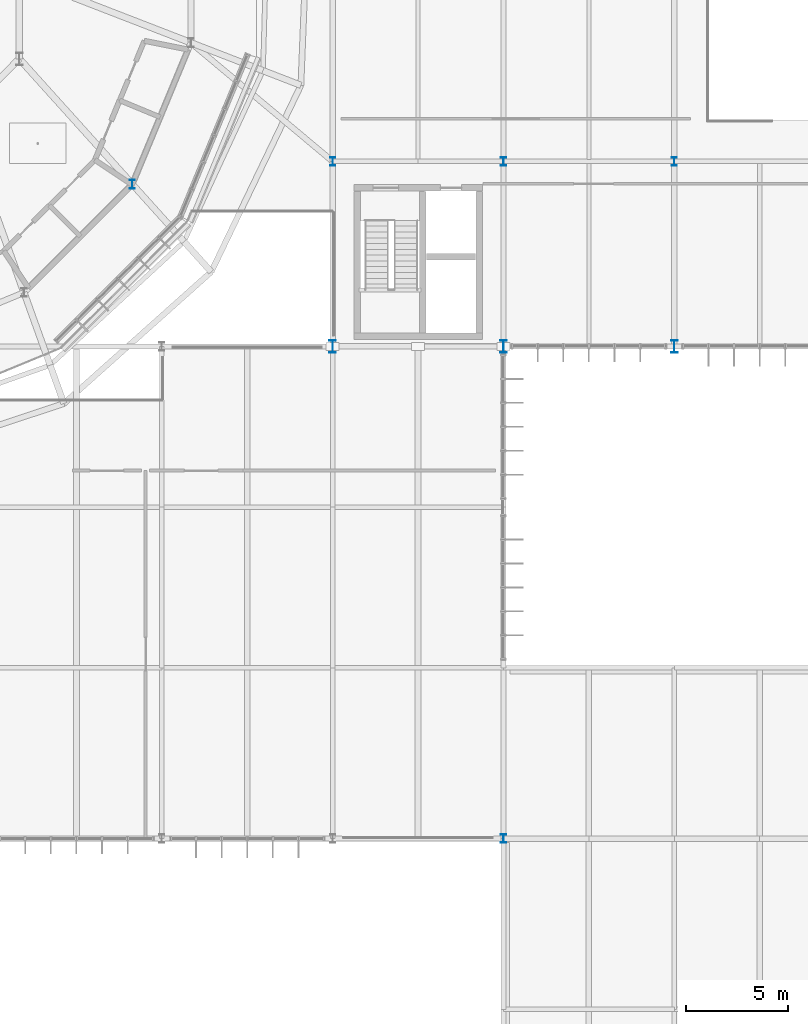
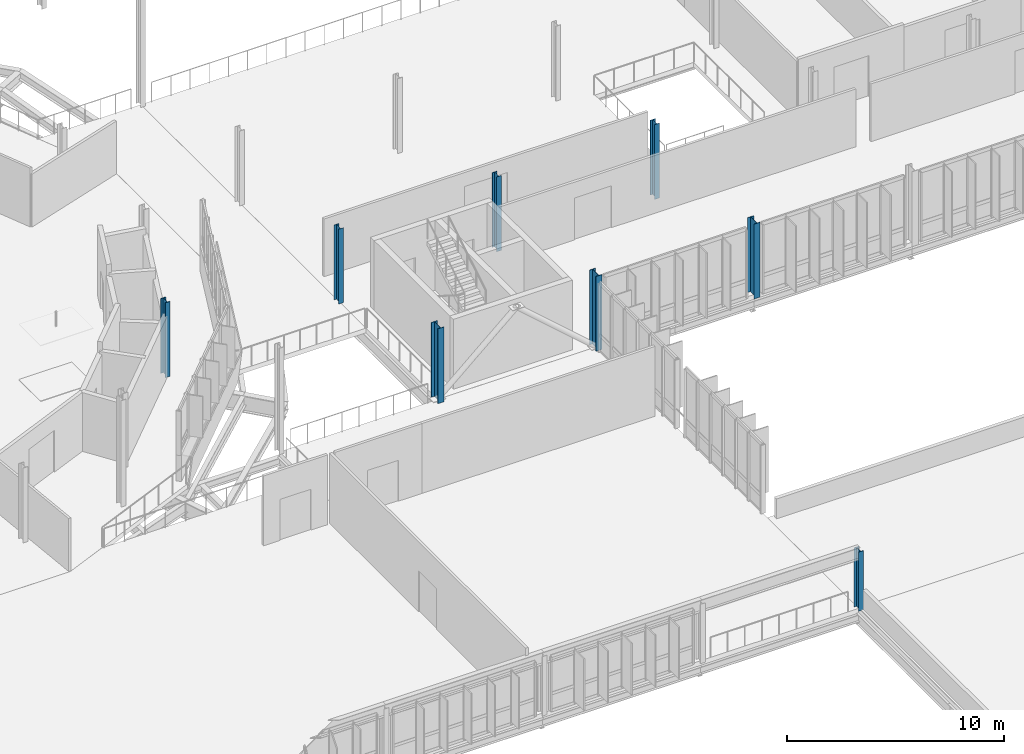
# One storey, part 3 of 107: 8 columns.
"""IFC4 building model written with IfcOpenShell, lengths in metres."""

from ifc_helpers import new_model, si_unit, derived_unit, direction, frame, origin, origin_2d, place, context, subcontext, project, spatial, i_section, extrude, material, material_profile, profile_set, type_object, element, save


model = new_model("IFC4")

# Units and contexts
model_context = context("Model", 3, precision=1e-05, world=origin(), true_north=direction((0.0, 1.0)))
body_context = subcontext(model_context, "Body", "Model", "MODEL_VIEW")
ifc_project = project(units=[si_unit("LENGTHUNIT", "METRE"), si_unit("AREAUNIT", "SQUARE_METRE"), si_unit("VOLUMEUNIT", "CUBIC_METRE"), si_unit("PLANEANGLEUNIT", "RADIAN"), si_unit("MASSUNIT", "GRAM", prefix="KILO"), derived_unit("THERMALTRANSMITTANCEUNIT", [(si_unit("MASSUNIT", "GRAM", prefix="KILO"), 1), (si_unit("TIMEUNIT", "SECOND"), -3), (si_unit("THERMODYNAMICTEMPERATUREUNIT", "KELVIN"), -1)])], contexts=[model_context])

# Site, building, storey
site_placement = place(None, origin())
site = spatial("IfcSite", under=ifc_project, at=site_placement, CompositionType="ELEMENT")
building_placement = place(site_placement, origin())
building = spatial("IfcBuilding", under=site, at=building_placement, Name="Makaiwela Harbour Ferry Terminal", CompositionType="ELEMENT")
storey_placement = place(building_placement, frame((0.0, 0.0, 9.60009765625)))
storey = spatial("IfcBuildingStorey", under=building, at=storey_placement, Name="L02", CompositionType="ELEMENT", Elevation=9.60009765625)

# Columns
ifc_material = material(Name="Steel ASTM A992 Grade 50", Category="steel")
ifc_material_profile_1 = material_profile(ifc_material, i_section(OverallWidth=0.264892578125, OverallDepth=0.430908203125, WebThickness=0.014892578125, FlangeThickness=0.02490234375, at=origin_2d()), Name="W16X100")
ifc_profile_set_1 = profile_set([ifc_material_profile_1], Name="Steel ASTM A992 Grade 50")
column_type_1 = type_object("IfcColumnType", Name="STR-COL-W16X100", PredefinedType="COLUMN", material=ifc_profile_set_1)
column_1_placement = place(storey_placement, frame((53.1474609375, 57.37744140625, 0.0), z_axis=(0.0, 0.0, 1.0), x_axis=(1.0, 0.0, 0.0)))
element("IfcColumn", 1, at=column_1_placement, inside=storey, type_object=column_type_1, Name="Structural Column C-03", PredefinedType="COLUMN", context=body_context, shape_type="SweptSolid", body=[
    extrude(i_section(OverallWidth=0.264892578125, OverallDepth=0.430908203125, WebThickness=0.014892578125, FlangeThickness=0.02490234375, at=origin_2d()), origin(), (0.0, 0.0, 1.0), 4.199951171875),
])
ifc_material_profile_2 = material_profile(ifc_material, i_section(OverallWidth=0.260986328125, OverallDepth=0.4189453125, WebThickness=0.01171875, FlangeThickness=0.019287109375, at=origin_2d()), Name="W16X77")
ifc_profile_set_2 = profile_set([ifc_material_profile_2], Name="Steel ASTM A992 Grade 50")
column_type_2 = type_object("IfcColumnType", Name="STR-COL-W16X77", PredefinedType="COLUMN", material=ifc_profile_set_2)
for number, where, z_axis, x_axis, name in (
    (2, (63.0, 58.5, 0.0), (0.0, 0.0, 1.0), (1.0, 0.0, 0.0), "Structural Column C-04"),
    (3, (71.39990234375, 58.5, 0.0), (0.0, 0.0, 1.0), (1.0, 0.0, 0.0), "Structural Column C-04"),
    (4, (79.800048828125, 58.5, 0.0), (0.0, 0.0, 1.0), (1.0, 0.0, 0.0), "Structural Column C-04"),
):
    element("IfcColumn", number, at=place(storey_placement, frame(where, z_axis=z_axis, x_axis=x_axis)), inside=storey, type_object=column_type_2, Name=name, PredefinedType="COLUMN", context=body_context, shape_type="SweptSolid", body=[
        extrude(i_section(OverallWidth=0.260986328125, OverallDepth=0.4189453125, WebThickness=0.01171875, FlangeThickness=0.019287109375, at=origin_2d()), origin(), (0.0, 0.0, 1.0), 4.199951171875),
    ])
column_2_placement = place(storey_placement, frame((71.39990234375, 25.199951171875, 0.0), z_axis=(0.0, 0.0, 1.0), x_axis=(1.0, 0.0, 0.0)))
element("IfcColumn", 5, at=column_2_placement, inside=storey, type_object=column_type_2, Name="Structural Column C-04", PredefinedType="COLUMN", context=body_context, shape_type="SweptSolid", body=[
    extrude(i_section(OverallWidth=0.260986328125, OverallDepth=0.4189453125, WebThickness=0.01171875, FlangeThickness=0.019287109375, at=origin_2d()), origin(), (0.0, 0.0, 1.0), 3.326904296875),
])
ifc_material_profile_3 = material_profile(ifc_material, i_section(OverallWidth=0.324951171875, OverallDepth=0.615966796875, WebThickness=0.013916015625, FlangeThickness=0.021484375, at=origin_2d()), Name="W24X117")
ifc_profile_set_3 = profile_set([ifc_material_profile_3], Name="Steel ASTM A992 Grade 50")
column_type_3 = type_object("IfcColumnType", Name="STR-COL-W24X117", PredefinedType="COLUMN", material=ifc_profile_set_3)
for number, where, z_axis, x_axis, name in (
    (6, (63.0, 49.39990234375, 0.0), (0.0, 0.0, 1.0), (1.0, 0.0, 0.0), "Structural Column C-02"),
    (7, (71.39990234375, 49.39990234375, 0.0), (0.0, 0.0, 1.0), (1.0, 0.0, 0.0), "Structural Column C-02"),
    (8, (79.800048828125, 49.39990234375, 0.0), (0.0, 0.0, 1.0), (1.0, 0.0, 0.0), "Structural Column C-02"),
):
    element("IfcColumn", number, at=place(storey_placement, frame(where, z_axis=z_axis, x_axis=x_axis)), inside=storey, type_object=column_type_3, Name=name, PredefinedType="COLUMN", context=body_context, shape_type="SweptSolid", body=[
        extrude(i_section(OverallWidth=0.324951171875, OverallDepth=0.615966796875, WebThickness=0.013916015625, FlangeThickness=0.021484375, at=origin_2d()), origin(), (0.0, 0.0, 1.0), 4.199951171875),
    ])

save(model, "model.ifc")
